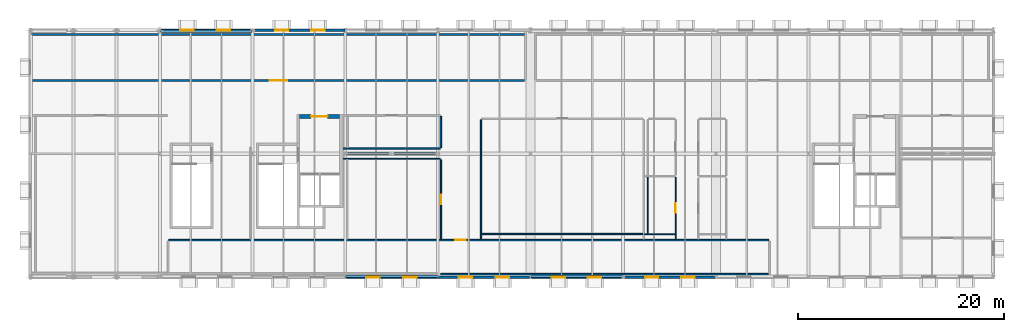
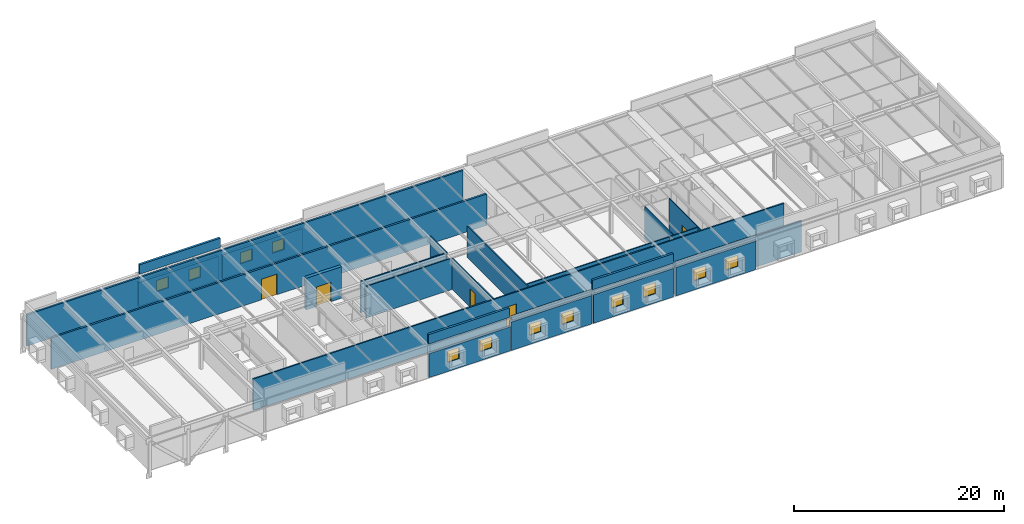
# One storey, part 12 of 16: 24 walls, 12 windows, 5 doors, 17 openings.
"""IFC4 building model written with IfcOpenShell, lengths in metres."""

from ifc_helpers import new_model, si_unit, direction, frame, frame_2d, origin, place, context, subcontext, project, spatial, rectangle, extrude, material, layer, layer_set, type_object, element, fill, save


model = new_model("IFC4")

# Units and contexts
model_context = context("Model", 3, precision=1e-05, world=origin(), true_north=direction((0.0, 1.0)))
body_context = subcontext(model_context, "Body", "Model", "MODEL_VIEW")
ifc_project = project(units=[si_unit("LENGTHUNIT", "METRE"), si_unit("AREAUNIT", "SQUARE_METRE"), si_unit("VOLUMEUNIT", "CUBIC_METRE"), si_unit("PLANEANGLEUNIT", "RADIAN"), si_unit("MASSUNIT", "GRAM", prefix="KILO")], contexts=[model_context])

# Site, building, storey
site_placement = place(None, origin())
site = spatial("IfcSite", under=ifc_project, at=site_placement, CompositionType="ELEMENT")
building_placement = place(site_placement, origin())
building = spatial("IfcBuilding", under=site, at=building_placement, Name="Montelvaro Courts of Justice", CompositionType="ELEMENT")
storey_placement = place(building_placement, frame((0.0, 0.0, 35.39990234375)))
storey = spatial("IfcBuildingStorey", under=building, at=storey_placement, Name="L08", CompositionType="ELEMENT", Elevation=35.39990234375)

# Wall, opening, door
ifc_material_1 = material(Name="Gypsum board on metal stud")
ifc_layer_1 = layer(ifc_material_1, 0.14990234375)
ifc_layer_set_1 = layer_set([ifc_layer_1], Name="Gypsum board on metal stud")
wall_type_1 = type_object("IfcWallType", Name="ChambersPartition_150", PredefinedType="PARTITIONING", material=ifc_layer_set_1)
wall_1_placement = place(storey_placement, frame((45.8798828125, 3.60009765625, 0.0), z_axis=(0.0, 0.0, 1.0), x_axis=(1.0, 0.0, 0.0)))
wall_1 = element("IfcWall", 1, at=wall_1_placement, inside=storey, type_object=wall_type_1, Name="Interior Partition IW-04 (L08)", PredefinedType="PARTITIONING", context=body_context, shape_type="SweptSolid", body=[
    extrude(rectangle(XDim=58.240234375, YDim=0.14990234375, at=frame_2d((29.1201171875, 0.0))), origin(), (0.0, 0.0, 1.0), 3.64013671875),
])
opening_1_placement = place(wall_1_placement, frame((27.794921875, 0.0, 0.0)))
opening_1 = element("IfcOpeningElement", 2, at=opening_1_placement, cuts=wall_1, Name="Opening D-L08-190", PredefinedType="OPENING", context=body_context, shape_type="SweptSolid", body=[
    extrude(rectangle(XDim=1.050048828125, YDim=2.25, at=frame_2d((0.52490234375, 1.125))), frame((0.0, 0.08984375, 0.0), z_axis=(0.0, -1.0, 0.0), x_axis=(1.0, 0.0, 0.0)), (0.0, 0.0, 1.0), 0.1796875),
])
ifc_material_2 = material(Name="Acoustic oak timber veneer", Category="wood")
door_type_1 = type_object("IfcDoorType", Name="ChamberDoor_105x225", OperationType="NOTDEFINED", PredefinedType="DOOR", material=ifc_material_2)
door_1_placement = place(opening_1_placement, origin())
door_1 = element("IfcDoor", 3, at=door_1_placement, inside=storey, type_object=door_type_1, Name="Interior Door D-L08-190 (South Presidency Gallery L08)", OperationType="SINGLE_SWING_LEFT", OverallHeight=2.25, OverallWidth=1.050048828125, PredefinedType="DOOR", context=body_context, shape_type="SweptSolid", body=[
    extrude(rectangle(XDim=1.050048828125, YDim=2.25, at=frame_2d((0.52490234375, 1.125))), frame((0.0, 0.02490234375, 0.0), z_axis=(0.0, -1.0, 0.0), x_axis=(1.0, 0.0, 0.0)), (0.0, 0.0, 1.0), 0.050048828125),
])
fill(opening_1, door_1)

# Walls
wall_2_placement = place(storey_placement, frame((104.1298828125, 0.300048828125, 0.0), z_axis=(0.0, 0.0, 1.0), x_axis=(-1.0, 0.0, 0.0)))
element("IfcWall", 4, at=wall_2_placement, inside=storey, type_object=wall_type_1, Name="Interior Partition IW-04 (L08)", PredefinedType="PARTITIONING", context=body_context, shape_type="SweptSolid", body=[
    extrude(rectangle(XDim=31.850830078125, YDim=0.14990234375, at=frame_2d((15.92529296875, 0.0))), origin(), (0.0, 0.0, 1.0), 3.64013671875),
])
wall_3_placement = place(storey_placement, frame((72.300048828125, 15.6201171875, 0.0), z_axis=(0.0, 0.0, 1.0), x_axis=(0.0, -1.0, 0.0)))
element("IfcWall", 5, at=wall_3_placement, inside=storey, type_object=wall_type_1, Name="Interior Partition IW-04 (L08)", PredefinedType="PARTITIONING", context=body_context, shape_type="SweptSolid", body=[
    extrude(rectangle(XDim=3.0400390625, YDim=0.14990234375, at=frame_2d((1.52001953125, 0.0))), origin(), (0.0, 0.0, 1.0), 3.64013671875),
])
wall_4_placement = place(storey_placement, frame((72.219970703125, 12.5, 0.0), z_axis=(0.0, 0.0, 1.0), x_axis=(-1.0, 0.0, 0.0)))
element("IfcWall", 6, at=wall_4_placement, inside=storey, type_object=wall_type_1, Name="Interior Partition IW-04 (L08)", PredefinedType="PARTITIONING", context=body_context, shape_type="SweptSolid", body=[
    extrude(rectangle(XDim=9.425048828125, YDim=0.14990234375, at=frame_2d((4.71240234375, 0.0))), origin(), (0.0, 0.0, 1.0), 3.64013671875),
])

# Wall, opening, door
ifc_material_3 = material(Name="Concrete C40/50", Category="concrete")
ifc_layer_2 = layer(ifc_material_3, 0.360107421875)
ifc_layer_set_2 = layer_set([ifc_layer_2], Name="Concrete C40/50")
wall_type_2 = type_object("IfcWallType", Name="CoreWall_360", PredefinedType="SHEAR", material=ifc_layer_set_2)
wall_5_placement = place(storey_placement, frame((58.5400390625, 15.6201171875, 0.0), z_axis=(0.0, 0.0, 1.0), x_axis=(1.0, 0.0, 0.0)))
wall_5 = element("IfcWall", 7, at=wall_5_placement, inside=storey, type_object=wall_type_2, Name="Core Shear Wall CW-01 K1-N (L08)", PredefinedType="SHEAR", context=body_context, shape_type="SweptSolid", body=[
    extrude(rectangle(XDim=3.89990234375, YDim=0.360107421875, at=frame_2d((1.949951171875, 0.0))), origin(), (0.0, 0.0, 1.0), 3.66015625),
])
opening_2_placement = place(wall_5_placement, frame((1.14990234375, 0.0, 0.0)))
opening_2 = element("IfcOpeningElement", 8, at=opening_2_placement, cuts=wall_5, Name="Opening DL-L08-K1", PredefinedType="OPENING", context=body_context, shape_type="SweptSolid", body=[
    extrude(rectangle(XDim=1.60009765625, YDim=2.25, at=frame_2d((0.800048828125, 1.125))), frame((0.0, 0.19482421875, 0.0), z_axis=(0.0, -1.0, 0.0), x_axis=(1.0, 0.0, 0.0)), (0.0, 0.0, 1.0), 0.389892578125),
])
ifc_material_4 = material(Name="Galvanised steel S355 security door", Category="steel")
door_type_2 = type_object("IfcDoorType", Name="LobbyFireDoor_160x225", OperationType="DOUBLE_DOOR_SINGLE_SWING", PredefinedType="DOOR", material=ifc_material_4)
door_2_placement = place(opening_2_placement, origin())
door_2 = element("IfcDoor", 9, at=door_2_placement, inside=storey, type_object=door_type_2, Name="Core Lobby Fire Door DL-L08-K1", OperationType="DOUBLE_DOOR_SINGLE_SWING", OverallHeight=2.25, OverallWidth=1.60009765625, PredefinedType="DOOR", context=body_context, shape_type="SweptSolid", body=[
    extrude(rectangle(XDim=1.60009765625, YDim=2.25, at=frame_2d((0.800048828125, 1.125))), frame((0.0, 0.02490234375, 0.0), z_axis=(0.0, -1.0, 0.0), x_axis=(1.0, 0.0, 0.0)), (0.0, 0.0, 1.0), 0.050048828125),
])
fill(opening_2, door_2)

# Wall
ifc_material_5 = material(Name="Gypsum acoustic double stud with mineral wool")
ifc_layer_3 = layer(ifc_material_5, 0.199951171875)
ifc_layer_set_3 = layer_set([ifc_layer_3], Name="Gypsum acoustic double stud with mineral wool")
wall_type_3 = type_object("IfcWallType", Name="CourtAcousticWall_200", PredefinedType="PARTITIONING", material=ifc_layer_set_3)
wall_6_placement = place(storey_placement, frame((32.534912109375, 23.60009765625, 0.0), z_axis=(0.0, 0.0, 1.0), x_axis=(1.0, 0.0, 0.0)))
element("IfcWall", 10, at=wall_6_placement, inside=storey, type_object=wall_type_3, Name="Interior Partition IW-01 (L08)", PredefinedType="PARTITIONING", context=body_context, shape_type="SweptSolid", body=[
    extrude(rectangle(XDim=47.885009765625, YDim=0.199951171875, at=frame_2d((23.9423828125, 0.0))), origin(), (0.0, 0.0, 1.0), 3.64013671875),
])

# Wall, opening, door
wall_7_placement = place(storey_placement, frame((80.419921875, 19.10009765625, 0.0), z_axis=(0.0, 0.0, 1.0), x_axis=(-1.0, 0.0, 0.0)))
wall_7 = element("IfcWall", 11, at=wall_7_placement, inside=storey, type_object=wall_type_3, Name="Interior Partition IW-01 (L08)", PredefinedType="PARTITIONING", context=body_context, shape_type="SweptSolid", body=[
    extrude(rectangle(XDim=47.784912109375, YDim=0.199951171875, at=frame_2d((23.892578125, 0.0))), origin(), (0.0, 0.0, 1.0), 3.64013671875),
])
opening_3_placement = place(wall_7_placement, frame((23.0419921875, 0.0, 0.0)))
opening_3 = element("IfcOpeningElement", 12, at=opening_3_placement, cuts=wall_7, Name="Opening D-L08-192", PredefinedType="OPENING", context=body_context, shape_type="SweptSolid", body=[
    extrude(rectangle(XDim=1.699951171875, YDim=2.39990234375, at=frame_2d((0.85009765625, 1.199951171875))), frame((0.0, 0.11474609375, 0.0), z_axis=(0.0, -1.0, 0.0), x_axis=(1.0, 0.0, 0.0)), (0.0, 0.0, 1.0), 0.229736328125),
])
door_type_3 = type_object("IfcDoorType", Name="CourtDoor_170x240", OperationType="DOUBLE_DOOR_SINGLE_SWING", PredefinedType="DOOR", material=ifc_material_2)
door_3_placement = place(opening_3_placement, origin())
door_3 = element("IfcDoor", 13, at=door_3_placement, inside=storey, type_object=door_type_3, Name="Interior Door D-L08-192 (Plenary Judicial Boardroom)", OperationType="DOUBLE_DOOR_SINGLE_SWING", OverallHeight=2.39990234375, OverallWidth=1.699951171875, PredefinedType="DOOR", context=body_context, shape_type="SweptSolid", body=[
    extrude(rectangle(XDim=1.699951171875, YDim=2.39990234375, at=frame_2d((0.85009765625, 1.199951171875))), frame((0.0, 0.02490234375, 0.0), z_axis=(0.0, -1.0, 0.0), x_axis=(1.0, 0.0, 0.0)), (0.0, 0.0, 1.0), 0.050048828125),
])
fill(opening_3, door_3)

# Wall, openings, windows
ifc_material_6 = material(Name="White mineral precast concrete C45/55", Category="concrete")
ifc_layer_4 = layer(ifc_material_6, 0.280029296875)
ifc_layer_set_4 = layer_set([ifc_layer_4], Name="White mineral precast concrete C45/55")
wall_type_4 = type_object("IfcWallType", Name="ExtWall_GFRC_280", PredefinedType="SOLIDWALL", material=ifc_layer_set_4)
wall_8_placement = place(storey_placement, frame((63.008056640625, 0.0, 0.0), z_axis=(0.0, 0.0, 1.0), x_axis=(1.0, 0.0, 0.0)))
wall_8 = element("IfcWall", 14, at=wall_8_placement, inside=storey, type_object=wall_type_4, Name="Exterior Facade Wall EW-01 (L08)", PredefinedType="SOLIDWALL", context=body_context, shape_type="SweptSolid", body=[
    extrude(rectangle(XDim=8.98388671875, YDim=0.280029296875, at=frame_2d((4.491943359375, 0.0))), origin(), (0.0, 0.0, 1.0), 2.787109375),
])
opening_4_placement = place(wall_8_placement, frame((2.044921875, 0.0, 1.050048828125)))
opening_4 = element("IfcOpeningElement", 15, at=opening_4_placement, cuts=wall_8, Name="Opening WE-18", PredefinedType="OPENING", context=body_context, shape_type="SweptSolid", body=[
    extrude(rectangle(XDim=1.300048828125, YDim=1.300048828125, at=frame_2d((0.64990234375, 0.64990234375))), frame((0.0, 0.15478515625, 0.0), z_axis=(0.0, -1.0, 0.0), x_axis=(1.0, 0.0, 0.0)), (0.0, 0.0, 1.0), 0.309814453125),
])
opening_5_placement = place(wall_8_placement, frame((5.638916015625, 0.0, 1.050048828125)))
opening_5 = element("IfcOpeningElement", 16, at=opening_5_placement, cuts=wall_8, Name="Opening WE-18", PredefinedType="OPENING", context=body_context, shape_type="SweptSolid", body=[
    extrude(rectangle(XDim=1.300048828125, YDim=1.300048828125, at=frame_2d((0.64990234375, 0.64990234375))), frame((0.0, 0.15478515625, 0.0), z_axis=(0.0, -1.0, 0.0), x_axis=(1.0, 0.0, 0.0)), (0.0, 0.0, 1.0), 0.309814453125),
])
ifc_material_7 = material(Name="Low-E solar control double glazing", Category="glass")
window_type = type_object("IfcWindowType", Name="Win_Sq_130x130", PartitioningType="SINGLE_PANEL", PredefinedType="WINDOW", material=ifc_material_7)
window_1_placement = place(opening_4_placement, origin())
window_1 = element("IfcWindow", 17, at=window_1_placement, inside=storey, type_object=window_type, Name="Window W-L08-374", OverallHeight=1.300048828125, OverallWidth=1.300048828125, PartitioningType="SINGLE_PANEL", PredefinedType="WINDOW", context=body_context, shape_type="SweptSolid", body=[
    extrude(rectangle(XDim=1.300048828125, YDim=1.300048828125, at=frame_2d((0.64990234375, 0.64990234375))), frame((0.0, 0.030029296875, 0.0), z_axis=(0.0, -1.0, 0.0), x_axis=(1.0, 0.0, 0.0)), (0.0, 0.0, 1.0), 0.06005859375),
])
fill(opening_4, window_1)
window_2_placement = place(opening_5_placement, origin())
window_2 = element("IfcWindow", 18, at=window_2_placement, inside=storey, type_object=window_type, Name="Window W-L08-375", OverallHeight=1.300048828125, OverallWidth=1.300048828125, PartitioningType="SINGLE_PANEL", PredefinedType="WINDOW", context=body_context, shape_type="SweptSolid", body=[
    extrude(rectangle(XDim=1.300048828125, YDim=1.300048828125, at=frame_2d((0.64990234375, 0.64990234375))), frame((0.0, 0.030029296875, 0.0), z_axis=(0.0, -1.0, 0.0), x_axis=(1.0, 0.0, 0.0)), (0.0, 0.0, 1.0), 0.06005859375),
])
fill(opening_5, window_2)

wall_9_placement = place(storey_placement, frame((72.008056640625, 0.0, 0.0), z_axis=(0.0, 0.0, 1.0), x_axis=(1.0, 0.0, 0.0)))
wall_9 = element("IfcWall", 19, at=wall_9_placement, inside=storey, type_object=wall_type_4, Name="Exterior Facade Wall EW-01 (L08)", PredefinedType="SOLIDWALL", context=body_context, shape_type="SweptSolid", body=[
    extrude(rectangle(XDim=8.933837890625, YDim=0.280029296875, at=frame_2d((4.466796875, 0.0))), origin(), (0.0, 0.0, 1.0), 3.30517578125),
])
opening_6_placement = place(wall_9_placement, frame((2.030029296875, 0.0, 1.050048828125)))
opening_6 = element("IfcOpeningElement", 20, at=opening_6_placement, cuts=wall_9, Name="Opening WE-18", PredefinedType="OPENING", context=body_context, shape_type="SweptSolid", body=[
    extrude(rectangle(XDim=1.300048828125, YDim=1.300048828125, at=frame_2d((0.64990234375, 0.64990234375))), frame((0.0, 0.15478515625, 0.0), z_axis=(0.0, -1.0, 0.0), x_axis=(1.0, 0.0, 0.0)), (0.0, 0.0, 1.0), 0.309814453125),
])
opening_7_placement = place(wall_9_placement, frame((5.60400390625, 0.0, 1.050048828125)))
opening_7 = element("IfcOpeningElement", 21, at=opening_7_placement, cuts=wall_9, Name="Opening WE-18", PredefinedType="OPENING", context=body_context, shape_type="SweptSolid", body=[
    extrude(rectangle(XDim=1.300048828125, YDim=1.300048828125, at=frame_2d((0.64990234375, 0.64990234375))), frame((0.0, 0.15478515625, 0.0), z_axis=(0.0, -1.0, 0.0), x_axis=(1.0, 0.0, 0.0)), (0.0, 0.0, 1.0), 0.309814453125),
])
window_3_placement = place(opening_6_placement, origin())
window_3 = element("IfcWindow", 22, at=window_3_placement, inside=storey, type_object=window_type, Name="Window W-L08-376", OverallHeight=1.300048828125, OverallWidth=1.300048828125, PartitioningType="SINGLE_PANEL", PredefinedType="WINDOW", context=body_context, shape_type="SweptSolid", body=[
    extrude(rectangle(XDim=1.300048828125, YDim=1.300048828125, at=frame_2d((0.64990234375, 0.64990234375))), frame((0.0, 0.030029296875, 0.0), z_axis=(0.0, -1.0, 0.0), x_axis=(1.0, 0.0, 0.0)), (0.0, 0.0, 1.0), 0.06005859375),
])
fill(opening_6, window_3)
window_4_placement = place(opening_7_placement, origin())
window_4 = element("IfcWindow", 23, at=window_4_placement, inside=storey, type_object=window_type, Name="Window W-L08-377", OverallHeight=1.300048828125, OverallWidth=1.300048828125, PartitioningType="SINGLE_PANEL", PredefinedType="WINDOW", context=body_context, shape_type="SweptSolid", body=[
    extrude(rectangle(XDim=1.300048828125, YDim=1.300048828125, at=frame_2d((0.64990234375, 0.64990234375))), frame((0.0, 0.030029296875, 0.0), z_axis=(0.0, -1.0, 0.0), x_axis=(1.0, 0.0, 0.0)), (0.0, 0.0, 1.0), 0.06005859375),
])
fill(opening_7, window_4)

wall_10_placement = place(storey_placement, frame((62.991943359375, 24.0, 0.0), z_axis=(0.0, 0.0, 1.0), x_axis=(-1.0, 0.0, 0.0)))
wall_10 = element("IfcWall", 24, at=wall_10_placement, inside=storey, type_object=wall_type_4, Name="Exterior Facade Wall EW-01 (L08)", PredefinedType="SOLIDWALL", context=body_context, shape_type="SweptSolid", body=[
    extrude(rectangle(XDim=8.7939453125, YDim=0.280029296875, at=frame_2d((4.39697265625, 0.0))), origin(), (0.0, 0.0, 1.0), 2.787109375),
])
opening_8_placement = place(wall_10_placement, frame((1.988037109375, 0.0, 1.050048828125)))
opening_8 = element("IfcOpeningElement", 25, at=opening_8_placement, cuts=wall_10, Name="Opening WE-18", PredefinedType="OPENING", context=body_context, shape_type="SweptSolid", body=[
    extrude(rectangle(XDim=1.300048828125, YDim=1.300048828125, at=frame_2d((0.64990234375, 0.64990234375))), frame((0.0, 0.15478515625, 0.0), z_axis=(0.0, -1.0, 0.0), x_axis=(1.0, 0.0, 0.0)), (0.0, 0.0, 1.0), 0.309814453125),
])
opening_9_placement = place(wall_10_placement, frame((5.506103515625, 0.0, 1.050048828125)))
opening_9 = element("IfcOpeningElement", 26, at=opening_9_placement, cuts=wall_10, Name="Opening WE-18", PredefinedType="OPENING", context=body_context, shape_type="SweptSolid", body=[
    extrude(rectangle(XDim=1.300048828125, YDim=1.300048828125, at=frame_2d((0.64990234375, 0.64990234375))), frame((0.0, 0.15478515625, 0.0), z_axis=(0.0, -1.0, 0.0), x_axis=(1.0, 0.0, 0.0)), (0.0, 0.0, 1.0), 0.309814453125),
])
window_5_placement = place(opening_8_placement, origin())
window_5 = element("IfcWindow", 27, at=window_5_placement, inside=storey, type_object=window_type, Name="Window W-L08-382", OverallHeight=1.300048828125, OverallWidth=1.300048828125, PartitioningType="SINGLE_PANEL", PredefinedType="WINDOW", context=body_context, shape_type="SweptSolid", body=[
    extrude(rectangle(XDim=1.300048828125, YDim=1.300048828125, at=frame_2d((0.64990234375, 0.64990234375))), frame((0.0, 0.030029296875, 0.0), z_axis=(0.0, -1.0, 0.0), x_axis=(1.0, 0.0, 0.0)), (0.0, 0.0, 1.0), 0.06005859375),
])
fill(opening_8, window_5)
window_6_placement = place(opening_9_placement, origin())
window_6 = element("IfcWindow", 28, at=window_6_placement, inside=storey, type_object=window_type, Name="Window W-L08-383", OverallHeight=1.300048828125, OverallWidth=1.300048828125, PartitioningType="SINGLE_PANEL", PredefinedType="WINDOW", context=body_context, shape_type="SweptSolid", body=[
    extrude(rectangle(XDim=1.300048828125, YDim=1.300048828125, at=frame_2d((0.64990234375, 0.64990234375))), frame((0.0, 0.030029296875, 0.0), z_axis=(0.0, -1.0, 0.0), x_axis=(1.0, 0.0, 0.0)), (0.0, 0.0, 1.0), 0.06005859375),
])
fill(opening_9, window_6)

wall_11_placement = place(storey_placement, frame((53.802001953125, 24.0, 0.0), z_axis=(0.0, 0.0, 1.0), x_axis=(-1.0, 0.0, 0.0)))
wall_11 = element("IfcWall", 29, at=wall_11_placement, inside=storey, type_object=wall_type_4, Name="Exterior Facade Wall EW-01 (L08)", PredefinedType="SOLIDWALL", context=body_context, shape_type="SweptSolid", body=[
    extrude(rectangle(XDim=8.7939453125, YDim=0.280029296875, at=frame_2d((4.39697265625, 0.0))), origin(), (0.0, 0.0, 1.0), 2.787109375),
])
opening_10_placement = place(wall_11_placement, frame((1.988037109375, 0.0, 1.050048828125)))
opening_10 = element("IfcOpeningElement", 30, at=opening_10_placement, cuts=wall_11, Name="Opening WE-18", PredefinedType="OPENING", context=body_context, shape_type="SweptSolid", body=[
    extrude(rectangle(XDim=1.300048828125, YDim=1.300048828125, at=frame_2d((0.64990234375, 0.64990234375))), frame((0.0, 0.15478515625, 0.0), z_axis=(0.0, -1.0, 0.0), x_axis=(1.0, 0.0, 0.0)), (0.0, 0.0, 1.0), 0.309814453125),
])
opening_11_placement = place(wall_11_placement, frame((5.506103515625, 0.0, 1.050048828125)))
opening_11 = element("IfcOpeningElement", 31, at=opening_11_placement, cuts=wall_11, Name="Opening WE-18", PredefinedType="OPENING", context=body_context, shape_type="SweptSolid", body=[
    extrude(rectangle(XDim=1.300048828125, YDim=1.300048828125, at=frame_2d((0.64990234375, 0.64990234375))), frame((0.0, 0.15478515625, 0.0), z_axis=(0.0, -1.0, 0.0), x_axis=(1.0, 0.0, 0.0)), (0.0, 0.0, 1.0), 0.309814453125),
])
window_7_placement = place(opening_10_placement, origin())
window_7 = element("IfcWindow", 32, at=window_7_placement, inside=storey, type_object=window_type, Name="Window W-L08-384", OverallHeight=1.300048828125, OverallWidth=1.300048828125, PartitioningType="SINGLE_PANEL", PredefinedType="WINDOW", context=body_context, shape_type="SweptSolid", body=[
    extrude(rectangle(XDim=1.300048828125, YDim=1.300048828125, at=frame_2d((0.64990234375, 0.64990234375))), frame((0.0, 0.030029296875, 0.0), z_axis=(0.0, -1.0, 0.0), x_axis=(1.0, 0.0, 0.0)), (0.0, 0.0, 1.0), 0.06005859375),
])
fill(opening_10, window_7)
window_8_placement = place(opening_11_placement, origin())
window_8 = element("IfcWindow", 33, at=window_8_placement, inside=storey, type_object=window_type, Name="Window W-L08-385", OverallHeight=1.300048828125, OverallWidth=1.300048828125, PartitioningType="SINGLE_PANEL", PredefinedType="WINDOW", context=body_context, shape_type="SweptSolid", body=[
    extrude(rectangle(XDim=1.300048828125, YDim=1.300048828125, at=frame_2d((0.64990234375, 0.64990234375))), frame((0.0, 0.030029296875, 0.0), z_axis=(0.0, -1.0, 0.0), x_axis=(1.0, 0.0, 0.0)), (0.0, 0.0, 1.0), 0.06005859375),
])
fill(opening_11, window_8)

wall_12_placement = place(storey_placement, frame((81.05810546875, 0.0, 0.0), z_axis=(0.0, 0.0, 1.0), x_axis=(1.0, 0.0, 0.0)))
wall_12 = element("IfcWall", 34, at=wall_12_placement, inside=storey, type_object=wall_type_4, Name="Exterior Facade Wall EW-01 (L08)", PredefinedType="SOLIDWALL", context=body_context, shape_type="SweptSolid", body=[
    extrude(rectangle(XDim=8.81396484375, YDim=0.280029296875, at=frame_2d((4.406982421875, 0.0))), origin(), (0.0, 0.0, 1.0), 3.30517578125),
])
opening_12_placement = place(wall_12_placement, frame((1.993896484375, 0.0, 1.050048828125)))
opening_12 = element("IfcOpeningElement", 35, at=opening_12_placement, cuts=wall_12, Name="Opening WE-18", PredefinedType="OPENING", context=body_context, shape_type="SweptSolid", body=[
    extrude(rectangle(XDim=1.300048828125, YDim=1.300048828125, at=frame_2d((0.64990234375, 0.64990234375))), frame((0.0, 0.15478515625, 0.0), z_axis=(0.0, -1.0, 0.0), x_axis=(1.0, 0.0, 0.0)), (0.0, 0.0, 1.0), 0.309814453125),
])
opening_13_placement = place(wall_12_placement, frame((5.52001953125, 0.0, 1.050048828125)))
opening_13 = element("IfcOpeningElement", 36, at=opening_13_placement, cuts=wall_12, Name="Opening WE-18", PredefinedType="OPENING", context=body_context, shape_type="SweptSolid", body=[
    extrude(rectangle(XDim=1.300048828125, YDim=1.300048828125, at=frame_2d((0.64990234375, 0.64990234375))), frame((0.0, 0.15478515625, 0.0), z_axis=(0.0, -1.0, 0.0), x_axis=(1.0, 0.0, 0.0)), (0.0, 0.0, 1.0), 0.309814453125),
])
window_9_placement = place(opening_12_placement, origin())
window_9 = element("IfcWindow", 37, at=window_9_placement, inside=storey, type_object=window_type, Name="Window W-L08-390", OverallHeight=1.300048828125, OverallWidth=1.300048828125, PartitioningType="SINGLE_PANEL", PredefinedType="WINDOW", context=body_context, shape_type="SweptSolid", body=[
    extrude(rectangle(XDim=1.300048828125, YDim=1.300048828125, at=frame_2d((0.64990234375, 0.64990234375))), frame((0.0, 0.030029296875, 0.0), z_axis=(0.0, -1.0, 0.0), x_axis=(1.0, 0.0, 0.0)), (0.0, 0.0, 1.0), 0.06005859375),
])
fill(opening_12, window_9)
window_10_placement = place(opening_13_placement, origin())
window_10 = element("IfcWindow", 38, at=window_10_placement, inside=storey, type_object=window_type, Name="Window W-L08-391", OverallHeight=1.300048828125, OverallWidth=1.300048828125, PartitioningType="SINGLE_PANEL", PredefinedType="WINDOW", context=body_context, shape_type="SweptSolid", body=[
    extrude(rectangle(XDim=1.300048828125, YDim=1.300048828125, at=frame_2d((0.64990234375, 0.64990234375))), frame((0.0, 0.030029296875, 0.0), z_axis=(0.0, -1.0, 0.0), x_axis=(1.0, 0.0, 0.0)), (0.0, 0.0, 1.0), 0.06005859375),
])
fill(opening_13, window_10)

wall_13_placement = place(storey_placement, frame((90.1279296875, 0.0, 0.0), z_axis=(0.0, 0.0, 1.0), x_axis=(1.0, 0.0, 0.0)))
wall_13 = element("IfcWall", 39, at=wall_13_placement, inside=storey, type_object=wall_type_4, Name="Exterior Facade Wall EW-01 (L08)", PredefinedType="SOLIDWALL", context=body_context, shape_type="SweptSolid", body=[
    extrude(rectangle(XDim=8.81396484375, YDim=0.280029296875, at=frame_2d((4.406982421875, 0.0))), origin(), (0.0, 0.0, 1.0), 3.30517578125),
])
opening_14_placement = place(wall_13_placement, frame((1.993896484375, 0.0, 1.050048828125)))
opening_14 = element("IfcOpeningElement", 40, at=opening_14_placement, cuts=wall_13, Name="Opening WE-18", PredefinedType="OPENING", context=body_context, shape_type="SweptSolid", body=[
    extrude(rectangle(XDim=1.300048828125, YDim=1.300048828125, at=frame_2d((0.64990234375, 0.64990234375))), frame((0.0, 0.15478515625, 0.0), z_axis=(0.0, -1.0, 0.0), x_axis=(1.0, 0.0, 0.0)), (0.0, 0.0, 1.0), 0.309814453125),
])
opening_15_placement = place(wall_13_placement, frame((5.52001953125, 0.0, 1.050048828125)))
opening_15 = element("IfcOpeningElement", 41, at=opening_15_placement, cuts=wall_13, Name="Opening WE-18", PredefinedType="OPENING", context=body_context, shape_type="SweptSolid", body=[
    extrude(rectangle(XDim=1.300048828125, YDim=1.300048828125, at=frame_2d((0.64990234375, 0.64990234375))), frame((0.0, 0.15478515625, 0.0), z_axis=(0.0, -1.0, 0.0), x_axis=(1.0, 0.0, 0.0)), (0.0, 0.0, 1.0), 0.309814453125),
])
window_11_placement = place(opening_14_placement, origin())
window_11 = element("IfcWindow", 42, at=window_11_placement, inside=storey, type_object=window_type, Name="Window W-L08-392", OverallHeight=1.300048828125, OverallWidth=1.300048828125, PartitioningType="SINGLE_PANEL", PredefinedType="WINDOW", context=body_context, shape_type="SweptSolid", body=[
    extrude(rectangle(XDim=1.300048828125, YDim=1.300048828125, at=frame_2d((0.64990234375, 0.64990234375))), frame((0.0, 0.030029296875, 0.0), z_axis=(0.0, -1.0, 0.0), x_axis=(1.0, 0.0, 0.0)), (0.0, 0.0, 1.0), 0.06005859375),
])
fill(opening_14, window_11)
window_12_placement = place(opening_15_placement, origin())
window_12 = element("IfcWindow", 43, at=window_12_placement, inside=storey, type_object=window_type, Name="Window W-L08-393", OverallHeight=1.300048828125, OverallWidth=1.300048828125, PartitioningType="SINGLE_PANEL", PredefinedType="WINDOW", context=body_context, shape_type="SweptSolid", body=[
    extrude(rectangle(XDim=1.300048828125, YDim=1.300048828125, at=frame_2d((0.64990234375, 0.64990234375))), frame((0.0, 0.030029296875, 0.0), z_axis=(0.0, -1.0, 0.0), x_axis=(1.0, 0.0, 0.0)), (0.0, 0.0, 1.0), 0.06005859375),
])
fill(opening_15, window_12)

# Wall
ifc_layer_5 = layer(ifc_material_1, 0.1201171875)
ifc_layer_set_5 = layer_set([ifc_layer_5], Name="Gypsum board on metal stud")
wall_type_5 = type_object("IfcWallType", Name="OfficePartition_120", PredefinedType="PARTITIONING", material=ifc_layer_set_5)
wall_14_placement = place(storey_placement, frame((62.794921875, 11.5, 0.0), z_axis=(0.0, 0.0, 1.0), x_axis=(1.0, 0.0, 0.0)))
element("IfcWall", 44, at=wall_14_placement, inside=storey, type_object=wall_type_5, Name="Interior Partition IW-05 (L08)", PredefinedType="PARTITIONING", context=body_context, shape_type="SweptSolid", body=[
    extrude(rectangle(XDim=9.425048828125, YDim=0.1201171875, at=frame_2d((4.71240234375, 0.0))), origin(), (0.0, 0.0, 1.0), 3.64013671875),
])

# Wall, opening, door
wall_15_placement = place(storey_placement, frame((72.300048828125, 11.419921875, 0.0), z_axis=(0.0, 0.0, 1.0), x_axis=(0.0, -1.0, 0.0)))
wall_15 = element("IfcWall", 45, at=wall_15_placement, inside=storey, type_object=wall_type_5, Name="Interior Partition IW-05 (L08)", PredefinedType="PARTITIONING", context=body_context, shape_type="SweptSolid", body=[
    extrude(rectangle(XDim=7.75, YDim=0.1201171875, at=frame_2d((3.875, 0.0))), origin(), (0.0, 0.0, 1.0), 3.64013671875),
])
opening_16_placement = place(wall_15_placement, frame((3.39990234375, 0.0, 0.0)))
opening_16 = element("IfcOpeningElement", 46, at=opening_16_placement, cuts=wall_15, Name="Opening D-L08-194", PredefinedType="OPENING", context=body_context, shape_type="SweptSolid", body=[
    extrude(rectangle(XDim=0.949951171875, YDim=2.14990234375, at=frame_2d((0.47509765625, 1.074951171875))), frame((0.0, 0.074951171875, 0.0), z_axis=(0.0, -1.0, 0.0), x_axis=(1.0, 0.0, 0.0)), (0.0, 0.0, 1.0), 0.14990234375),
])
door_type_4 = type_object("IfcDoorType", Name="OfficeDoor_095x215", OperationType="NOTDEFINED", PredefinedType="DOOR", material=ifc_material_2)
door_4_placement = place(opening_16_placement, origin())
door_4 = element("IfcDoor", 47, at=door_4_placement, inside=storey, type_object=door_type_4, Name="Interior Door D-L08-194 (High Court Presidency Chambers)", OperationType="SINGLE_SWING_RIGHT", OverallHeight=2.14990234375, OverallWidth=0.949951171875, PredefinedType="DOOR", context=body_context, shape_type="SweptSolid", body=[
    extrude(rectangle(XDim=0.949951171875, YDim=2.14990234375, at=frame_2d((0.47509765625, 1.074951171875))), frame((0.0, 0.02490234375, 0.0), z_axis=(0.0, -1.0, 0.0), x_axis=(1.0, 0.0, 0.0)), (0.0, 0.0, 1.0), 0.050048828125),
])
fill(opening_16, door_4)

# Walls
wall_16_placement = place(storey_placement, frame((91.919921875, 4.199951171875, 0.0), z_axis=(0.0, 0.0, 1.0), x_axis=(-1.0, 0.0, 0.0)))
element("IfcWall", 48, at=wall_16_placement, inside=storey, type_object=wall_type_5, Name="Interior Partition IW-05 (L08)", PredefinedType="PARTITIONING", context=body_context, shape_type="SweptSolid", body=[
    extrude(rectangle(XDim=15.639892578125, YDim=0.1201171875, at=frame_2d((7.81982421875, 0.0))), origin(), (0.0, 0.0, 1.0), 3.64013671875),
])
wall_17_placement = place(storey_placement, frame((76.199951171875, 3.669921875, 0.0), z_axis=(0.0, 0.0, 1.0), x_axis=(0.0, 1.0, 0.0)))
element("IfcWall", 49, at=wall_17_placement, inside=storey, type_object=wall_type_5, Name="Interior Partition IW-05 (L08)", PredefinedType="PARTITIONING", context=body_context, shape_type="SweptSolid", body=[
    extrude(rectangle(XDim=11.650146484375, YDim=0.1201171875, at=frame_2d((5.8251953125, 0.0))), origin(), (0.0, 0.0, 1.0), 3.64013671875),
])
ifc_layer_6 = layer(ifc_material_6, 0.239990234375)
ifc_layer_set_6 = layer_set([ifc_layer_6], Name="White mineral precast concrete C45/55")
wall_type_6 = type_object("IfcWallType", Name="ParapetWall_240", PredefinedType="PARAPET", material=ifc_layer_set_6)
for number, where, z_axis, x_axis, name in (
    (50, (63.06005859375, 0.1201171875, 3.800048828125), (0.0, 0.0, 1.0), (1.0, 0.0, 0.0), "Roof Parapet PW-01 L08-003"),
    (51, (81.06005859375, 0.1201171875, 3.800048828125), (0.0, 0.0, 1.0), (1.0, 0.0, 0.0), "Roof Parapet PW-01 L08-004"),
    (52, (53.93994140625, 23.8798828125, 3.800048828125), (0.0, 0.0, 1.0), (-1.0, 0.0, 0.0), "Roof Parapet PW-01 L08-012"),
):
    element("IfcWall", number, at=place(storey_placement, frame(where, z_axis=z_axis, x_axis=x_axis)), inside=storey, type_object=wall_type_6, Name=name, PredefinedType="PARAPET", context=body_context, shape_type="SweptSolid", body=[
        extrude(rectangle(XDim=8.8798828125, YDim=0.239990234375, at=frame_2d((4.43994140625, 0.0))), origin(), (0.0, 0.0, 1.0), 1.10009765625),
    ])
ifc_material_8 = material(Name="Concrete C35/45", Category="concrete")
ifc_layer_7 = layer(ifc_material_8, 0.239990234375)
ifc_layer_set_7 = layer_set([ifc_layer_7], Name="Concrete C35/45")
wall_type_7 = type_object("IfcWallType", Name="ShaftWall_240", PredefinedType="SHEAR", material=ifc_layer_set_7)
wall_18_placement = place(storey_placement, frame((63.008056640625, 12.0, 0.0), z_axis=(0.0, 0.0, 1.0), x_axis=(1.0, 0.0, 0.0)))
element("IfcWall", 53, at=wall_18_placement, inside=storey, type_object=wall_type_7, Name="Enclosed Braced Frame Structural Wall CBF1 (L08)", PredefinedType="SHEAR", context=body_context, shape_type="SweptSolid", body=[
    extrude(rectangle(XDim=8.864013671875, YDim=0.239990234375, at=frame_2d((4.43212890625, 0.0))), origin(), (0.0, 0.0, 1.0), 3.255126953125),
])
ifc_material_9 = material(Name="Moisture-resistant cement board")
ifc_layer_8 = layer(ifc_material_9, 0.10009765625)
ifc_layer_set_8 = layer_set([ifc_layer_8], Name="Moisture-resistant cement board")
wall_type_8 = type_object("IfcWallType", Name="WetWall_100", PredefinedType="PARTITIONING", material=ifc_layer_set_8)
wall_19_placement = place(storey_placement, frame((95.02001953125, 4.199951171875, 0.0), z_axis=(0.0, 0.0, 1.0), x_axis=(-1.0, 0.0, 0.0)))
element("IfcWall", 54, at=wall_19_placement, inside=storey, type_object=wall_type_8, Name="Interior Partition IW-06 (L08)", PredefinedType="PARTITIONING", context=body_context, shape_type="SweptSolid", body=[
    extrude(rectangle(XDim=2.965087890625, YDim=0.10009765625, at=frame_2d((1.482421875, 0.0))), origin(), (0.0, 0.0, 1.0), 3.64013671875),
])
wall_20_placement = place(storey_placement, frame((92.39990234375, 4.2451171875, 0.0), z_axis=(0.0, 0.0, 1.0), x_axis=(0.0, 1.0, 0.0)))
element("IfcWall", 55, at=wall_20_placement, inside=storey, type_object=wall_type_8, Name="Interior Partition IW-06 (L08)", PredefinedType="PARTITIONING", context=body_context, shape_type="SweptSolid", body=[
    extrude(rectangle(XDim=5.474853515625, YDim=0.10009765625, at=frame_2d((2.7373046875, 0.0))), origin(), (0.0, 0.0, 1.0), 3.64013671875),
])

# Wall, opening, door
wall_21_placement = place(storey_placement, frame((95.10009765625, 9.719970703125, 0.0), z_axis=(0.0, 0.0, 1.0), x_axis=(0.0, -1.0, 0.0)))
wall_21 = element("IfcWall", 56, at=wall_21_placement, inside=storey, type_object=wall_type_8, Name="Interior Partition IW-06 (L08)", PredefinedType="PARTITIONING", context=body_context, shape_type="SweptSolid", body=[
    extrude(rectangle(XDim=6.050048828125, YDim=0.10009765625, at=frame_2d((3.02490234375, 0.0))), origin(), (0.0, 0.0, 1.0), 3.64013671875),
])
opening_17_placement = place(wall_21_placement, frame((2.529052734375, 0.0, 0.0)))
opening_17 = element("IfcOpeningElement", 57, at=opening_17_placement, cuts=wall_21, Name="Opening D-L08-199", PredefinedType="OPENING", context=body_context, shape_type="SweptSolid", body=[
    extrude(rectangle(XDim=0.89990234375, YDim=2.050048828125, at=frame_2d((0.449951171875, 1.02490234375))), frame((0.0, 0.06494140625, 0.0), z_axis=(0.0, -1.0, 0.0), x_axis=(1.0, 0.0, 0.0)), (0.0, 0.0, 1.0), 0.1298828125),
])
door_type_5 = type_object("IfcDoorType", Name="RestroomDoor_090x205", OperationType="NOTDEFINED", PredefinedType="DOOR", material=ifc_material_2)
door_5_placement = place(opening_17_placement, frame((0.89990234375, 0.0, 0.0), z_axis=(0.0, 0.0, 1.0), x_axis=(-1.0, 0.0, 0.0)))
door_5 = element("IfcDoor", 58, at=door_5_placement, inside=storey, type_object=door_type_5, Name="Interior Door D-L08-199 (Presidency Male Restroom)", OperationType="SINGLE_SWING_LEFT", OverallHeight=2.050048828125, OverallWidth=0.89990234375, PredefinedType="DOOR", context=body_context, shape_type="SweptSolid", body=[
    extrude(rectangle(XDim=0.89990234375, YDim=2.050048828125, at=frame_2d((0.449951171875, 1.02490234375))), frame((0.0, 0.02490234375, 0.0), z_axis=(0.0, -1.0, 0.0), x_axis=(1.0, 0.0, 0.0)), (0.0, 0.0, 1.0), 0.050048828125),
])
fill(opening_17, door_5)

save(model, "model.ifc")
